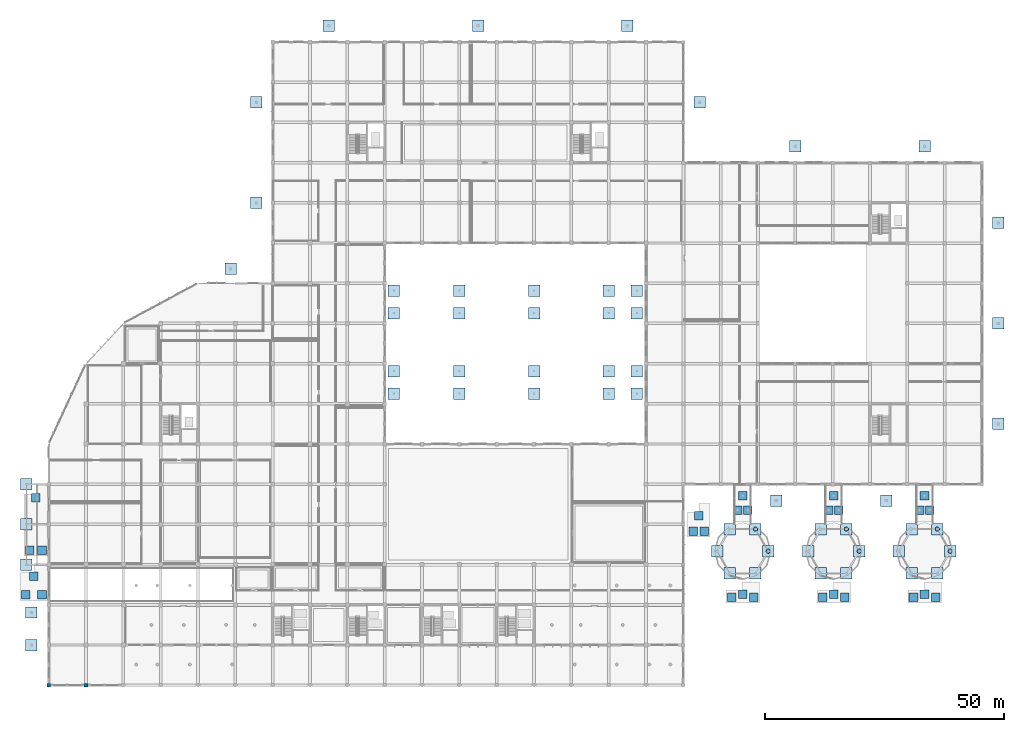
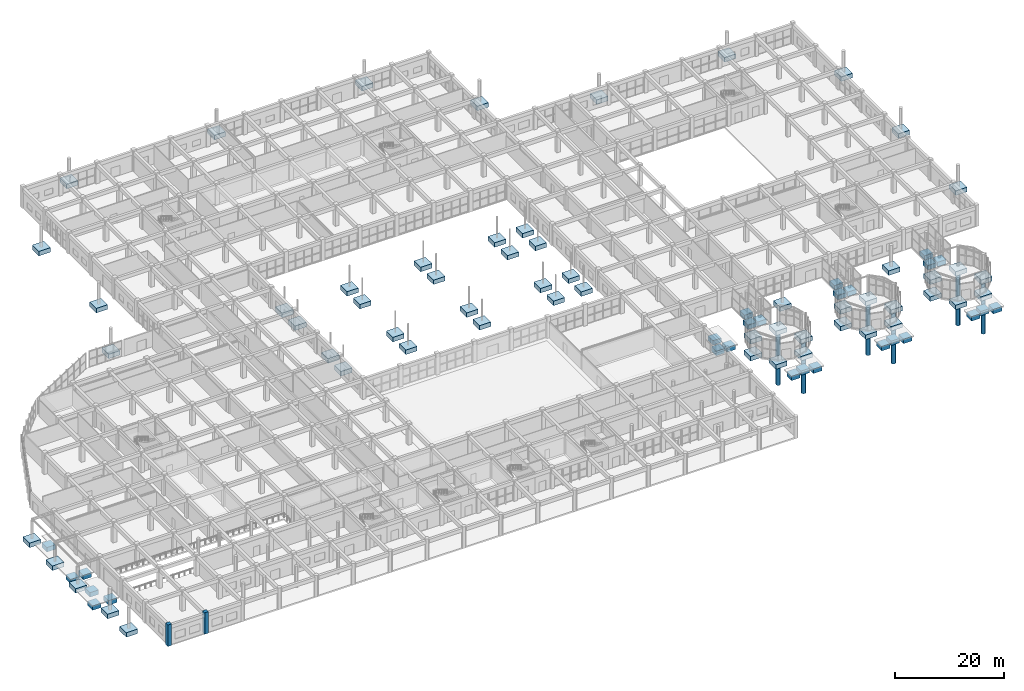
# One storey, part 1 of 139: 84 footings, 6 piles, 2 columns.
"""IFC4 building model written with IfcOpenShell, lengths in metres."""

from ifc_helpers import new_model, si_unit, direction, frame, origin, origin_2d, place, context, subcontext, project, spatial, rectangle, circle, extrude, material, material_profile, profile_set, type_object, element, save


model = new_model("IFC4")

# Units and contexts
model_context = context("Model", 3, precision=1e-05, world=origin(), true_north=direction((0.0, 1.0)))
body_context = subcontext(model_context, "Body", "Model", "MODEL_VIEW")
ifc_project = project(units=[si_unit("LENGTHUNIT", "METRE"), si_unit("AREAUNIT", "SQUARE_METRE"), si_unit("VOLUMEUNIT", "CUBIC_METRE"), si_unit("PLANEANGLEUNIT", "RADIAN"), si_unit("MASSUNIT", "GRAM", prefix="KILO")], contexts=[model_context])

# Site, building, storey
site_placement = place(None, origin())
site = spatial("IfcSite", under=ifc_project, at=site_placement, CompositionType="ELEMENT")
building_placement = place(site_placement, origin())
building = spatial("IfcBuilding", under=site, at=building_placement, Name="Zizhar Promenade General Hospital", CompositionType="ELEMENT")
storey_placement = place(building_placement, origin())
storey = spatial("IfcBuildingStorey", under=building, at=storey_placement, Name="L00", CompositionType="ELEMENT", Elevation=0.0)

# Footings
ifc_material_1 = material(Name="Concrete C30/37", Category="concrete")
footing_type_1 = type_object("IfcFootingType", Name="FTG-PAD-1800", PredefinedType="PAD_FOOTING", material=ifc_material_1)
for number, where, z_axis, x_axis, name in (
    (1, (143.949951171875, 36.60009765625, -1.300048828125), (0.0, 0.0, 1.0), (1.0, 0.0, 0.0), "PAV-1 Link Vestibule Pad Footing 1"),
    (2, (146.050048828125, 36.60009765625, -1.300048828125), (0.0, 0.0, 1.0), (1.0, 0.0, 0.0), "PAV-1 Link Vestibule Pad Footing 2"),
    (3, (145.0, 39.60009765625, -1.300048828125), (0.0, 0.0, 1.0), (1.0, 0.0, 0.0), "PAV-1 Link Vestibule Pad Footing 3"),
    (4, (162.949951171875, 36.60009765625, -1.300048828125), (0.0, 0.0, 1.0), (1.0, 0.0, 0.0), "PAV-2 Link Vestibule Pad Footing 1"),
    (5, (165.050048828125, 36.60009765625, -1.300048828125), (0.0, 0.0, 1.0), (1.0, 0.0, 0.0), "PAV-2 Link Vestibule Pad Footing 2"),
    (6, (164.0, 39.60009765625, -1.300048828125), (0.0, 0.0, 1.0), (1.0, 0.0, 0.0), "PAV-2 Link Vestibule Pad Footing 3"),
    (7, (181.949951171875, 36.60009765625, -1.300048828125), (0.0, 0.0, 1.0), (1.0, 0.0, 0.0), "PAV-3 Link Vestibule Pad Footing 1"),
    (8, (184.050048828125, 36.60009765625, -1.300048828125), (0.0, 0.0, 1.0), (1.0, 0.0, 0.0), "PAV-3 Link Vestibule Pad Footing 2"),
    (9, (183.0, 39.60009765625, -1.300048828125), (0.0, 0.0, 1.0), (1.0, 0.0, 0.0), "PAV-3 Link Vestibule Pad Footing 3"),
    (10, (-4.0, 28.199951171875, -1.239990234375), (0.0, 0.0, 1.0), (1.0, 0.0, 0.0), "Ambulance Bay Grade Approach Apron Grade Pad 1"),
    (11, (-1.39990234375, 28.199951171875, -1.239990234375), (0.0, 0.0, 1.0), (1.0, 0.0, 0.0), "Ambulance Bay Grade Approach Apron Grade Pad 2"),
    (12, (-2.699951171875, 39.199951171875, -1.239990234375), (0.0, 0.0, 1.0), (1.0, 0.0, 0.0), "Ambulance Bay Grade Approach Apron Grade Pad 3"),
    (13, (134.699951171875, 32.199951171875, -1.239990234375), (0.0, 0.0, 1.0), (1.0, 0.0, 0.0), "Main Arrival Hall Forecourt Approach Slab Grade Pad 1"),
    (14, (137.0, 32.199951171875, -1.239990234375), (0.0, 0.0, 1.0), (1.0, 0.0, 0.0), "Main Arrival Hall Forecourt Approach Slab Grade Pad 2"),
    (15, (135.85009765625, 35.39990234375, -1.239990234375), (0.0, 0.0, 1.0), (1.0, 0.0, 0.0), "Main Arrival Hall Forecourt Approach Slab Grade Pad 3"),
    (16, (142.699951171875, 18.39990234375, -1.239990234375), (0.0, 0.0, 1.0), (1.0, 0.0, 0.0), "Outpatient Welcome Pavilion Approach Slab Grade Pad 1"),
    (17, (147.300048828125, 18.39990234375, -1.239990234375), (0.0, 0.0, 1.0), (1.0, 0.0, 0.0), "Outpatient Welcome Pavilion Approach Slab Grade Pad 2"),
    (18, (145.0, 19.0, -1.239990234375), (0.0, 0.0, 1.0), (1.0, 0.0, 0.0), "Outpatient Welcome Pavilion Approach Slab Grade Pad 3"),
    (19, (161.699951171875, 18.39990234375, -1.239990234375), (0.0, 0.0, 1.0), (1.0, 0.0, 0.0), "Pharmacy Pavilion Approach Slab Grade Pad 1"),
    (20, (166.300048828125, 18.39990234375, -1.239990234375), (0.0, 0.0, 1.0), (1.0, 0.0, 0.0), "Pharmacy Pavilion Approach Slab Grade Pad 2"),
    (21, (164.0, 19.0, -1.239990234375), (0.0, 0.0, 1.0), (1.0, 0.0, 0.0), "Pharmacy Pavilion Approach Slab Grade Pad 3"),
    (22, (180.699951171875, 18.39990234375, -1.239990234375), (0.0, 0.0, 1.0), (1.0, 0.0, 0.0), "Community Health Pavilion Approach Slab Grade Pad 1"),
    (23, (185.300048828125, 18.39990234375, -1.239990234375), (0.0, 0.0, 1.0), (1.0, 0.0, 0.0), "Community Health Pavilion Approach Slab Grade Pad 2"),
    (24, (183.0, 19.0, -1.239990234375), (0.0, 0.0, 1.0), (1.0, 0.0, 0.0), "Community Health Pavilion Approach Slab Grade Pad 3"),
    (25, (-4.800048828125, 18.89990234375, -1.239990234375), (0.0, 0.0, 1.0), (1.0, 0.0, 0.0), "Basement Vehicle Ramp Street Apron Grade Pad 1"),
    (26, (-1.39990234375, 18.89990234375, -1.239990234375), (0.0, 0.0, 1.0), (1.0, 0.0, 0.0), "Basement Vehicle Ramp Street Apron Grade Pad 2"),
    (27, (-3.10009765625, 22.800048828125, -1.239990234375), (0.0, 0.0, 1.0), (1.0, 0.0, 0.0), "Basement Vehicle Ramp Street Apron Grade Pad 3"),
):
    element("IfcFooting", number, at=place(storey_placement, frame(where, z_axis=z_axis, x_axis=x_axis)), inside=storey, type_object=footing_type_1, Name=name, PredefinedType="PAD_FOOTING", context=body_context, shape_type="SweptSolid", body=[
        extrude(rectangle(XDim=1.800048828125, YDim=1.800048828125, at=origin_2d()), origin(), (0.0, 0.0, 1.0), 1.0),
    ])
ifc_material_2 = material(Name="Concrete C30/37", Category="concrete")
footing_type_2 = type_object("IfcFootingType", Name="FTG-PAD-2400", PredefinedType="PAD_FOOTING", material=ifc_material_2)
for number, where, z_axis, x_axis, name in (
    (28, (-4.64990234375, 25.199951171875, -1.0), (0.0, 0.0, 1.0), (1.0, 0.0, 0.0), "Ambulance Canopy Tip Pad Footing 1"),
    (29, (-4.64990234375, 33.60009765625, -1.0), (0.0, 0.0, 1.0), (1.0, 0.0, 0.0), "Ambulance Canopy Tip Pad Footing 2"),
    (30, (-4.64990234375, 42.0, -1.0), (0.0, 0.0, 1.0), (1.0, 0.0, 0.0), "Ambulance Canopy Tip Pad Footing 3"),
    (31, (-3.60009765625, 8.39990234375, -1.0), (0.0, 0.0, 1.0), (1.0, 0.0, 0.0), "Base Roof Overhang Colonnade Footing 01"),
    (32, (-3.60009765625, 15.199951171875, -1.0), (0.0, 0.0, 1.0), (1.0, 0.0, 0.0), "Base Roof Overhang Colonnade Footing 02"),
    (33, (38.0, 87.0, -1.0), (0.0, 0.0, 1.0), (1.0, 0.0, 0.0), "Base Roof Overhang Colonnade Footing 03"),
    (34, (43.39990234375, 100.800048828125, -1.0), (0.0, 0.0, 1.0), (1.0, 0.0, 0.0), "Base Roof Overhang Colonnade Footing 04"),
    (35, (43.39990234375, 121.800048828125, -1.0), (0.0, 0.0, 1.0), (1.0, 0.0, 0.0), "Base Roof Overhang Colonnade Footing 05"),
    (36, (58.5, 137.800048828125, -1.0), (0.0, 0.0, 1.0), (1.0, 0.0, 0.0), "Base Roof Overhang Colonnade Footing 06"),
    (37, (89.699951171875, 137.800048828125, -1.0), (0.0, 0.0, 1.0), (1.0, 0.0, 0.0), "Base Roof Overhang Colonnade Footing 07"),
    (38, (120.89990234375, 137.800048828125, -1.0), (0.0, 0.0, 1.0), (1.0, 0.0, 0.0), "Base Roof Overhang Colonnade Footing 08"),
    (39, (136.0, 121.800048828125, -1.0), (0.0, 0.0, 1.0), (1.0, 0.0, 0.0), "Base Roof Overhang Colonnade Footing 09"),
    (40, (156.0, 112.60009765625, -1.0), (0.0, 0.0, 1.0), (1.0, 0.0, 0.0), "Base Roof Overhang Colonnade Footing 10"),
    (41, (183.0, 112.60009765625, -1.0), (0.0, 0.0, 1.0), (1.0, 0.0, 0.0), "Base Roof Overhang Colonnade Footing 11"),
    (42, (198.39990234375, 96.60009765625, -1.0), (0.0, 0.0, 1.0), (1.0, 0.0, 0.0), "Base Roof Overhang Colonnade Footing 12"),
    (43, (198.39990234375, 75.60009765625, -1.0), (0.0, 0.0, 1.0), (1.0, 0.0, 0.0), "Base Roof Overhang Colonnade Footing 13"),
    (44, (198.39990234375, 54.60009765625, -1.0), (0.0, 0.0, 1.0), (1.0, 0.0, 0.0), "Base Roof Overhang Colonnade Footing 14"),
    (45, (175.0, 38.60009765625, -1.0), (0.0, 0.0, 1.0), (1.0, 0.0, 0.0), "Base Roof Overhang Colonnade Footing 15"),
    (46, (152.0, 38.60009765625, -1.0), (0.0, 0.0, 1.0), (1.0, 0.0, 0.0), "Base Roof Overhang Colonnade Footing 16"),
    (47, (150.35009765625, 28.0, -1.300048828125), (0.0, 0.0, 1.0), (1.0, 0.0, 0.0), "PAV-1 Grade Pad Footing 1"),
    (48, (147.675048828125, 32.63330078125, -1.300048828125), (0.0, 0.0, 1.0), (1.0, 0.0, 0.0), "PAV-1 Grade Pad Footing 2"),
    (49, (142.324951171875, 32.63330078125, -1.300048828125), (0.0, 0.0, 1.0), (1.0, 0.0, 0.0), "PAV-1 Grade Pad Footing 3"),
    (50, (139.64990234375, 28.0, -1.300048828125), (0.0, 0.0, 1.0), (1.0, 0.0, 0.0), "PAV-1 Grade Pad Footing 4"),
    (51, (142.324951171875, 23.36669921875, -1.300048828125), (0.0, 0.0, 1.0), (1.0, 0.0, 0.0), "PAV-1 Grade Pad Footing 5"),
    (52, (147.675048828125, 23.36669921875, -1.300048828125), (0.0, 0.0, 1.0), (1.0, 0.0, 0.0), "PAV-1 Grade Pad Footing 6"),
    (53, (169.35009765625, 28.0, -1.300048828125), (0.0, 0.0, 1.0), (1.0, 0.0, 0.0), "PAV-2 Grade Pad Footing 1"),
    (54, (166.675048828125, 32.63330078125, -1.300048828125), (0.0, 0.0, 1.0), (1.0, 0.0, 0.0), "PAV-2 Grade Pad Footing 2"),
    (55, (161.324951171875, 32.63330078125, -1.300048828125), (0.0, 0.0, 1.0), (1.0, 0.0, 0.0), "PAV-2 Grade Pad Footing 3"),
    (56, (158.64990234375, 28.0, -1.300048828125), (0.0, 0.0, 1.0), (1.0, 0.0, 0.0), "PAV-2 Grade Pad Footing 4"),
    (57, (161.324951171875, 23.36669921875, -1.300048828125), (0.0, 0.0, 1.0), (1.0, 0.0, 0.0), "PAV-2 Grade Pad Footing 5"),
    (58, (166.675048828125, 23.36669921875, -1.300048828125), (0.0, 0.0, 1.0), (1.0, 0.0, 0.0), "PAV-2 Grade Pad Footing 6"),
    (59, (188.35009765625, 28.0, -1.300048828125), (0.0, 0.0, 1.0), (1.0, 0.0, 0.0), "PAV-3 Grade Pad Footing 1"),
    (60, (185.675048828125, 32.63330078125, -1.300048828125), (0.0, 0.0, 1.0), (1.0, 0.0, 0.0), "PAV-3 Grade Pad Footing 2"),
    (61, (180.324951171875, 32.63330078125, -1.300048828125), (0.0, 0.0, 1.0), (1.0, 0.0, 0.0), "PAV-3 Grade Pad Footing 3"),
    (62, (177.64990234375, 28.0, -1.300048828125), (0.0, 0.0, 1.0), (1.0, 0.0, 0.0), "PAV-3 Grade Pad Footing 4"),
    (63, (180.324951171875, 23.36669921875, -1.300048828125), (0.0, 0.0, 1.0), (1.0, 0.0, 0.0), "PAV-3 Grade Pad Footing 5"),
    (64, (185.675048828125, 23.36669921875, -1.300048828125), (0.0, 0.0, 1.0), (1.0, 0.0, 0.0), "PAV-3 Grade Pad Footing 6"),
    (65, (85.800048828125, 60.949951171875, -1.0), (0.0, 0.0, 1.0), (1.0, 0.0, 0.0), "SB-1 Courtyard Pier Footing 1S"),
    (66, (85.800048828125, 65.64990234375, -1.0), (0.0, 0.0, 1.0), (1.0, 0.0, 0.0), "SB-1 Courtyard Pier Footing 1N"),
    (67, (101.39990234375, 60.949951171875, -1.0), (0.0, 0.0, 1.0), (1.0, 0.0, 0.0), "SB-1 Courtyard Pier Footing 2S"),
    (68, (101.39990234375, 65.64990234375, -1.0), (0.0, 0.0, 1.0), (1.0, 0.0, 0.0), "SB-1 Courtyard Pier Footing 2N"),
    (69, (117.0, 60.949951171875, -1.0), (0.0, 0.0, 1.0), (1.0, 0.0, 0.0), "SB-1 Courtyard Pier Footing 3S"),
    (70, (117.0, 65.64990234375, -1.0), (0.0, 0.0, 1.0), (1.0, 0.0, 0.0), "SB-1 Courtyard Pier Footing 3N"),
    (71, (72.10009765625, 60.949951171875, -1.0), (0.0, 0.0, 1.0), (1.0, 0.0, 0.0), "SB-1 Abutment Pier Footing 1S"),
    (72, (72.10009765625, 65.64990234375, -1.0), (0.0, 0.0, 1.0), (1.0, 0.0, 0.0), "SB-1 Abutment Pier Footing 1N"),
    (73, (122.89990234375, 60.949951171875, -1.0), (0.0, 0.0, 1.0), (1.0, 0.0, 0.0), "SB-1 Abutment Pier Footing 2S"),
    (74, (122.89990234375, 65.64990234375, -1.0), (0.0, 0.0, 1.0), (1.0, 0.0, 0.0), "SB-1 Abutment Pier Footing 2N"),
    (75, (85.800048828125, 77.75, -1.0), (0.0, 0.0, 1.0), (1.0, 0.0, 0.0), "SB-2 Courtyard Pier Footing 1S"),
    (76, (85.800048828125, 82.449951171875, -1.0), (0.0, 0.0, 1.0), (1.0, 0.0, 0.0), "SB-2 Courtyard Pier Footing 1N"),
    (77, (101.39990234375, 77.75, -1.0), (0.0, 0.0, 1.0), (1.0, 0.0, 0.0), "SB-2 Courtyard Pier Footing 2S"),
    (78, (101.39990234375, 82.449951171875, -1.0), (0.0, 0.0, 1.0), (1.0, 0.0, 0.0), "SB-2 Courtyard Pier Footing 2N"),
    (79, (117.0, 77.75, -1.0), (0.0, 0.0, 1.0), (1.0, 0.0, 0.0), "SB-2 Courtyard Pier Footing 3S"),
    (80, (117.0, 82.449951171875, -1.0), (0.0, 0.0, 1.0), (1.0, 0.0, 0.0), "SB-2 Courtyard Pier Footing 3N"),
    (81, (72.10009765625, 77.75, -1.0), (0.0, 0.0, 1.0), (1.0, 0.0, 0.0), "SB-2 Abutment Pier Footing 1S"),
    (82, (72.10009765625, 82.449951171875, -1.0), (0.0, 0.0, 1.0), (1.0, 0.0, 0.0), "SB-2 Abutment Pier Footing 1N"),
    (83, (122.89990234375, 77.75, -1.0), (0.0, 0.0, 1.0), (1.0, 0.0, 0.0), "SB-2 Abutment Pier Footing 2S"),
    (84, (122.89990234375, 82.449951171875, -1.0), (0.0, 0.0, 1.0), (1.0, 0.0, 0.0), "SB-2 Abutment Pier Footing 2N"),
):
    element("IfcFooting", number, at=place(storey_placement, frame(where, z_axis=z_axis, x_axis=x_axis)), inside=storey, type_object=footing_type_2, Name=name, PredefinedType="PAD_FOOTING", context=body_context, shape_type="SweptSolid", body=[
        extrude(rectangle(XDim=2.39990234375, YDim=2.39990234375, at=origin_2d()), origin(), (0.0, 0.0, 1.0), 1.0),
    ])

# Piles
ifc_material_3 = material(Name="Concrete C30/37", Category="concrete")
ifc_material_profile_1 = material_profile(ifc_material_3, circle(Radius=0.449951171875, at=origin_2d()))
ifc_profile_set_1 = profile_set([ifc_material_profile_1], Name="Concrete C30/37")
pile_type = type_object("IfcPileType", Name="PIL-BORED-900", PredefinedType="BORED", material=ifc_profile_set_1)
for number, where, z_axis, x_axis, name in (
    (85, (150.35009765625, 28.0, -1.199951171875), (0.0, 0.0, -1.0), (1.0, 0.0, 0.0), "PAV-1 Entrance Pavilion Bored Pile 1"),
    (86, (147.675048828125, 32.63330078125, -1.199951171875), (0.0, 0.0, -1.0), (1.0, 0.0, 0.0), "PAV-1 Entrance Pavilion Bored Pile 2"),
    (87, (169.35009765625, 28.0, -1.199951171875), (0.0, 0.0, -1.0), (1.0, 0.0, 0.0), "PAV-2 Entrance Pavilion Bored Pile 1"),
    (88, (166.675048828125, 32.63330078125, -1.199951171875), (0.0, 0.0, -1.0), (1.0, 0.0, 0.0), "PAV-2 Entrance Pavilion Bored Pile 2"),
    (89, (188.35009765625, 28.0, -1.199951171875), (0.0, 0.0, -1.0), (1.0, 0.0, 0.0), "PAV-3 Entrance Pavilion Bored Pile 1"),
    (90, (185.675048828125, 32.63330078125, -1.199951171875), (0.0, 0.0, -1.0), (1.0, 0.0, 0.0), "PAV-3 Entrance Pavilion Bored Pile 2"),
):
    element("IfcPile", number, at=place(storey_placement, frame(where, z_axis=z_axis, x_axis=x_axis)), inside=storey, type_object=pile_type, Name=name, PredefinedType="BORED", context=body_context, shape_type="SweptSolid", body=[
        extrude(circle(Radius=0.449951171875, at=origin_2d()), origin(), (0.0, 0.0, 1.0), 12.0),
    ])

# Columns
ifc_material_4 = material(Name="Concrete C40/50", Category="concrete")
ifc_material_profile_2 = material_profile(ifc_material_4, rectangle(XDim=0.800048828125, YDim=0.800048828125, at=origin_2d()))
ifc_profile_set_2 = profile_set([ifc_material_profile_2], Name="Concrete C40/50")
column_type = type_object("IfcColumnType", Name="COL-RC-800", PredefinedType="COLUMN", material=ifc_profile_set_2)
for number, where, z_axis, x_axis, name in (
    (91, (0.0, 0.0, 0.0), (0.0, 0.0, 1.0), (1.0, 0.0, 0.0), "Column 1-A (L00)"),
    (92, (7.800048828125, 0.0, 0.0), (0.0, 0.0, 1.0), (1.0, 0.0, 0.0), "Column 2-A (L00)"),
):
    element("IfcColumn", number, at=place(storey_placement, frame(where, z_axis=z_axis, x_axis=x_axis)), inside=storey, type_object=column_type, Name=name, PredefinedType="COLUMN", context=body_context, shape_type="SweptSolid", body=[
        extrude(rectangle(XDim=0.800048828125, YDim=0.800048828125, at=origin_2d()), origin(), (0.0, 0.0, 1.0), 4.800048828125),
    ])

save(model, "model.ifc")
